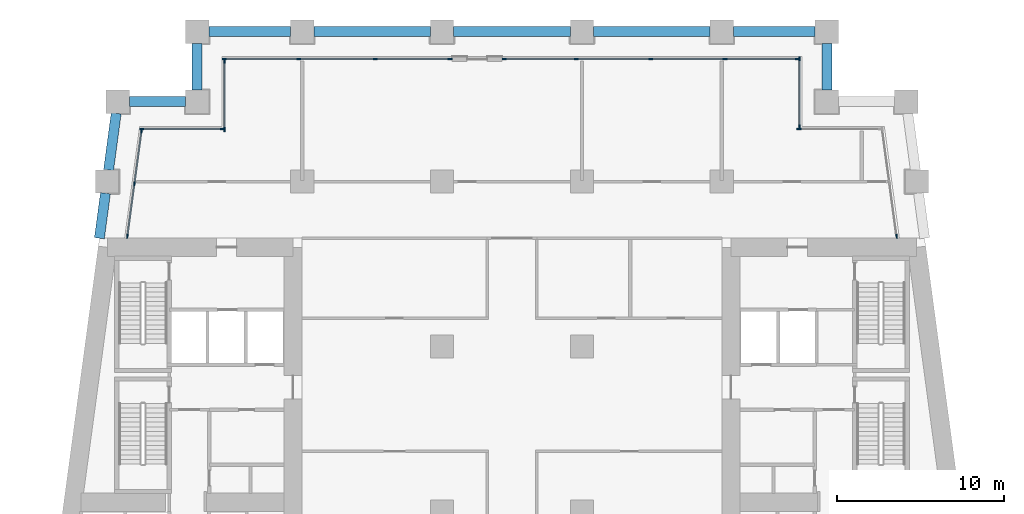
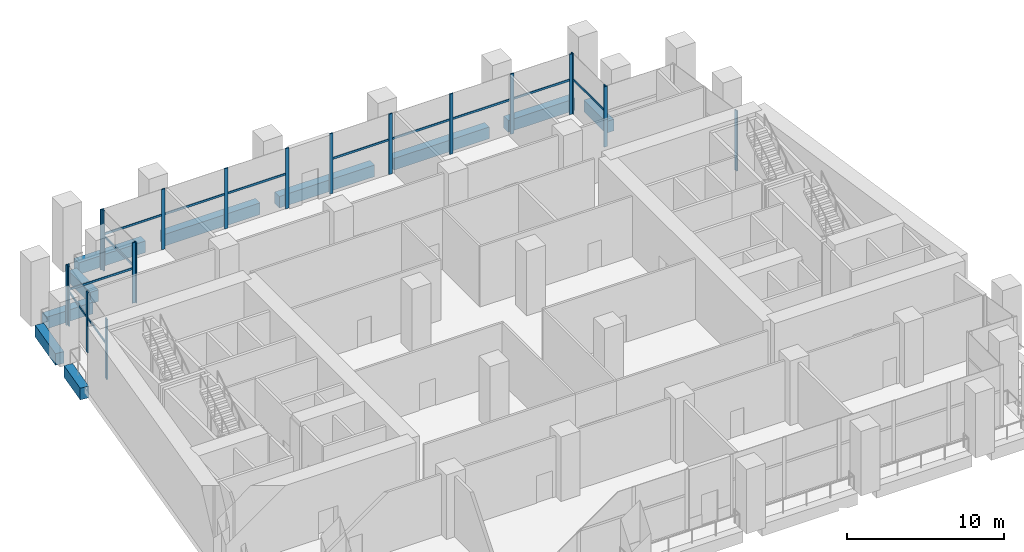
# One storey, part 4 of 15: 32 members, 10 beams, 8 elements without a shape of their own.
"""IFC4 building model written with IfcOpenShell, lengths in metres."""

from ifc_helpers import new_model, si_unit, direction, frame, origin, origin_2d, place, context, subcontext, project, spatial, rectangle, extrude, material, material_profile, profile_set, type_object, element, aggregate, save


model = new_model("IFC4")

# Units and contexts
model_context = context("Model", 3, precision=1e-05, world=origin(), true_north=direction((0.0, 1.0)))
body_context = subcontext(model_context, "Body", "Model", "MODEL_VIEW")
ifc_project = project(units=[si_unit("LENGTHUNIT", "METRE"), si_unit("AREAUNIT", "SQUARE_METRE"), si_unit("VOLUMEUNIT", "CUBIC_METRE"), si_unit("PLANEANGLEUNIT", "RADIAN"), si_unit("MASSUNIT", "GRAM", prefix="KILO")], contexts=[model_context])

# Site, building, storey
site_placement = place(None, origin())
site = spatial("IfcSite", under=ifc_project, at=site_placement, CompositionType="ELEMENT")
building_placement = place(site_placement, origin())
building = spatial("IfcBuilding", under=site, at=building_placement, Name="Candeia Pilgrim Tower and Theatre", CompositionType="ELEMENT")
storey_placement = place(building_placement, frame((0.0, 0.0, 86.0)))
storey = spatial("IfcBuildingStorey", under=building, at=storey_placement, Name="L19", CompositionType="ELEMENT", Elevation=86.0)

# Curtain wall, member
ifc_material_1 = material(Name="Aluminium framed sky lobby glazing", Category="aluminium")
curtain_wall_type = type_object("IfcCurtainWallType", Name="CW-S curtain wall", PredefinedType="NOTDEFINED", material=ifc_material_1)
curtain_wall_1_placement = place(storey_placement, origin())
curtain_wall_1 = element("IfcCurtainWall", 1, at=curtain_wall_1_placement, inside=storey, type_object=curtain_wall_type, Name="Curtain wall CW-S L19.310", PredefinedType="NOTDEFINED")
ifc_material_2 = material(Name="Anodised aluminium", Category="aluminium")
ifc_material_profile_1 = material_profile(ifc_material_2, rectangle(XDim=0.080078125, YDim=0.25, at=origin_2d()))
ifc_profile_set_1 = profile_set([ifc_material_profile_1], Name="Anodised aluminium")
member_type_1 = type_object("IfcMemberType", Name="CW-S mullion 80x250", PredefinedType="MULLION", material=ifc_profile_set_1)
member_1_placement = place(storey_placement, frame((136.48779296875, 132.52392578125, 0.0), z_axis=(0.0, 0.0, 1.0), x_axis=(-0.991060661622, -0.133412012145, 0.0)))
member_1 = element("IfcMember", 2, at=member_1_placement, type_object=member_type_1, Name="CW-S mullion 1", PredefinedType="MULLION", context=body_context, shape_type="SweptSolid", body=[
    extrude(rectangle(XDim=0.080078125, YDim=0.25, at=origin_2d()), origin(), (0.0, 0.0, 1.0), 4.679931640625),
])
aggregate(curtain_wall_1, [member_1])

curtain_wall_2_placement = place(storey_placement, origin())
curtain_wall_2 = element("IfcCurtainWall", 3, at=curtain_wall_2_placement, inside=storey, type_object=curtain_wall_type, Name="Curtain wall CW-S L19.400", PredefinedType="NOTDEFINED")
member_2_placement = place(storey_placement, frame((130.625, 138.949951171875, 0.0), z_axis=(0.0, 0.0, 1.0), x_axis=(0.0, -1.0, 0.0)))
member_2 = element("IfcMember", 4, at=member_2_placement, type_object=member_type_1, Name="CW-S mullion 2", PredefinedType="MULLION", context=body_context, shape_type="SweptSolid", body=[
    extrude(rectangle(XDim=0.080078125, YDim=0.25, at=origin_2d()), origin(), (0.0, 0.0, 1.0), 4.679931640625),
])
aggregate(curtain_wall_2, [member_2])

# Curtain wall, members
curtain_wall_3_placement = place(storey_placement, origin())
curtain_wall_3 = element("IfcCurtainWall", 5, at=curtain_wall_3_placement, inside=storey, type_object=curtain_wall_type, Name="Curtain wall CW-S L19.500", PredefinedType="NOTDEFINED")
member_3_placement = place(storey_placement, frame((130.64990234375, 139.074951171875, 0.0), z_axis=(0.0, 0.0, 1.0), x_axis=(-1.0, 0.0, 0.0)))
member_3 = element("IfcMember", 6, at=member_3_placement, type_object=member_type_1, Name="CW-S mullion 1", PredefinedType="MULLION", context=body_context, shape_type="SweptSolid", body=[
    extrude(rectangle(XDim=0.080078125, YDim=0.25, at=origin_2d()), origin(), (0.0, 0.0, 1.0), 4.679931640625),
])
member_4_placement = place(storey_placement, frame((130.64990234375, 143.175048828125, 0.0), z_axis=(0.0, 0.0, 1.0), x_axis=(-1.0, 0.0, 0.0)))
member_4 = element("IfcMember", 7, at=member_4_placement, type_object=member_type_1, Name="CW-S mullion 2", PredefinedType="MULLION", context=body_context, shape_type="SweptSolid", body=[
    extrude(rectangle(XDim=0.080078125, YDim=0.25, at=origin_2d()), origin(), (0.0, 0.0, 1.0), 4.679931640625),
])

curtain_wall_4_placement = place(storey_placement, origin())
curtain_wall_4 = element("IfcCurtainWall", 8, at=curtain_wall_4_placement, inside=storey, type_object=curtain_wall_type, Name="Curtain wall CW-S L19.600", PredefinedType="NOTDEFINED")
member_5_placement = place(storey_placement, frame((130.52490234375, 143.14990234375, 0.0), z_axis=(0.0, 0.0, 1.0), x_axis=(0.0, -1.0, 0.0)))
member_5 = element("IfcMember", 9, at=member_5_placement, type_object=member_type_1, Name="CW-S mullion 1", PredefinedType="MULLION", context=body_context, shape_type="SweptSolid", body=[
    extrude(rectangle(XDim=0.080078125, YDim=0.25, at=origin_2d()), origin(), (0.0, 0.0, 1.0), 4.679931640625),
])
member_6_placement = place(storey_placement, frame((126.1875, 143.14990234375, 0.0), z_axis=(0.0, 0.0, 1.0), x_axis=(0.0, -1.0, 0.0)))
member_6 = element("IfcMember", 10, at=member_6_placement, type_object=member_type_1, Name="CW-S mullion 2", PredefinedType="MULLION", context=body_context, shape_type="SweptSolid", body=[
    extrude(rectangle(XDim=0.080078125, YDim=0.25, at=origin_2d()), origin(), (0.0, 0.0, 1.0), 4.679931640625),
])
member_7_placement = place(storey_placement, frame((121.72509765625, 143.14990234375, 0.0), z_axis=(0.0, 0.0, 1.0), x_axis=(0.0, -1.0, 0.0)))
member_7 = element("IfcMember", 11, at=member_7_placement, type_object=member_type_1, Name="CW-S mullion 3", PredefinedType="MULLION", context=body_context, shape_type="SweptSolid", body=[
    extrude(rectangle(XDim=0.080078125, YDim=0.25, at=origin_2d()), origin(), (0.0, 0.0, 1.0), 4.679931640625),
])
member_8_placement = place(storey_placement, frame((117.262451171875, 143.14990234375, 0.0), z_axis=(0.0, 0.0, 1.0), x_axis=(0.0, -1.0, 0.0)))
member_8 = element("IfcMember", 12, at=member_8_placement, type_object=member_type_1, Name="CW-S mullion 4", PredefinedType="MULLION", context=body_context, shape_type="SweptSolid", body=[
    extrude(rectangle(XDim=0.080078125, YDim=0.25, at=origin_2d()), origin(), (0.0, 0.0, 1.0), 4.679931640625),
])
member_9_placement = place(storey_placement, frame((112.925048828125, 143.14990234375, 0.0), z_axis=(0.0, 0.0, 1.0), x_axis=(0.0, -1.0, 0.0)))
member_9 = element("IfcMember", 13, at=member_9_placement, type_object=member_type_1, Name="CW-S mullion 5", PredefinedType="MULLION", context=body_context, shape_type="SweptSolid", body=[
    extrude(rectangle(XDim=0.080078125, YDim=0.25, at=origin_2d()), origin(), (0.0, 0.0, 1.0), 4.679931640625),
])

curtain_wall_5_placement = place(storey_placement, origin())
curtain_wall_5 = element("IfcCurtainWall", 14, at=curtain_wall_5_placement, inside=storey, type_object=curtain_wall_type, Name="Curtain wall CW-S L19.602", PredefinedType="NOTDEFINED")
member_10_placement = place(storey_placement, frame((109.675048828125, 143.14990234375, 0.0), z_axis=(0.0, 0.0, 1.0), x_axis=(0.0, -1.0, 0.0)))
member_10 = element("IfcMember", 15, at=member_10_placement, type_object=member_type_1, Name="CW-S mullion 1", PredefinedType="MULLION", context=body_context, shape_type="SweptSolid", body=[
    extrude(rectangle(XDim=0.080078125, YDim=0.25, at=origin_2d()), origin(), (0.0, 0.0, 1.0), 4.679931640625),
])
member_11_placement = place(storey_placement, frame((105.199951171875, 143.14990234375, 0.0), z_axis=(0.0, 0.0, 1.0), x_axis=(0.0, -1.0, 0.0)))
member_11 = element("IfcMember", 16, at=member_11_placement, type_object=member_type_1, Name="CW-S mullion 2", PredefinedType="MULLION", context=body_context, shape_type="SweptSolid", body=[
    extrude(rectangle(XDim=0.080078125, YDim=0.25, at=origin_2d()), origin(), (0.0, 0.0, 1.0), 4.679931640625),
])
member_12_placement = place(storey_placement, frame((100.60009765625, 143.14990234375, 0.0), z_axis=(0.0, 0.0, 1.0), x_axis=(0.0, -1.0, 0.0)))
member_12 = element("IfcMember", 17, at=member_12_placement, type_object=member_type_1, Name="CW-S mullion 3", PredefinedType="MULLION", context=body_context, shape_type="SweptSolid", body=[
    extrude(rectangle(XDim=0.080078125, YDim=0.25, at=origin_2d()), origin(), (0.0, 0.0, 1.0), 4.679931640625),
])
member_13_placement = place(storey_placement, frame((96.125, 143.14990234375, 0.0), z_axis=(0.0, 0.0, 1.0), x_axis=(0.0, -1.0, 0.0)))
member_13 = element("IfcMember", 18, at=member_13_placement, type_object=member_type_1, Name="CW-S mullion 4", PredefinedType="MULLION", context=body_context, shape_type="SweptSolid", body=[
    extrude(rectangle(XDim=0.080078125, YDim=0.25, at=origin_2d()), origin(), (0.0, 0.0, 1.0), 4.679931640625),
])

curtain_wall_6_placement = place(storey_placement, origin())
curtain_wall_6 = element("IfcCurtainWall", 19, at=curtain_wall_6_placement, inside=storey, type_object=curtain_wall_type, Name="Curtain wall CW-S L19.700", PredefinedType="NOTDEFINED")
member_14_placement = place(storey_placement, frame((96.14990234375, 143.02490234375, 0.0), z_axis=(0.0, 0.0, 1.0), x_axis=(1.0, 0.0, 0.0)))
member_14 = element("IfcMember", 20, at=member_14_placement, type_object=member_type_1, Name="CW-S mullion 1", PredefinedType="MULLION", context=body_context, shape_type="SweptSolid", body=[
    extrude(rectangle(XDim=0.080078125, YDim=0.25, at=origin_2d()), origin(), (0.0, 0.0, 1.0), 4.679931640625),
])
member_15_placement = place(storey_placement, frame((96.14990234375, 138.925048828125, 0.0), z_axis=(0.0, 0.0, 1.0), x_axis=(1.0, 0.0, 0.0)))
member_15 = element("IfcMember", 21, at=member_15_placement, type_object=member_type_1, Name="CW-S mullion 2", PredefinedType="MULLION", context=body_context, shape_type="SweptSolid", body=[
    extrude(rectangle(XDim=0.080078125, YDim=0.25, at=origin_2d()), origin(), (0.0, 0.0, 1.0), 4.679931640625),
])

curtain_wall_7_placement = place(storey_placement, origin())
curtain_wall_7 = element("IfcCurtainWall", 22, at=curtain_wall_7_placement, inside=storey, type_object=curtain_wall_type, Name="Curtain wall CW-S L19.800", PredefinedType="NOTDEFINED")
member_16_placement = place(storey_placement, frame((96.02490234375, 138.949951171875, 0.0), z_axis=(0.0, 0.0, 1.0), x_axis=(0.0, -1.0, 0.0)))
member_16 = element("IfcMember", 23, at=member_16_placement, type_object=member_type_1, Name="CW-S mullion 1", PredefinedType="MULLION", context=body_context, shape_type="SweptSolid", body=[
    extrude(rectangle(XDim=0.080078125, YDim=0.25, at=origin_2d()), origin(), (0.0, 0.0, 1.0), 4.679931640625),
])
member_17_placement = place(storey_placement, frame((91.171142578125, 138.949951171875, 0.0), z_axis=(0.0, 0.0, 1.0), x_axis=(0.0, -1.0, 0.0)))
member_17 = element("IfcMember", 24, at=member_17_placement, type_object=member_type_1, Name="CW-S mullion 2", PredefinedType="MULLION", context=body_context, shape_type="SweptSolid", body=[
    extrude(rectangle(XDim=0.080078125, YDim=0.25, at=origin_2d()), origin(), (0.0, 0.0, 1.0), 4.679931640625),
])

curtain_wall_8_placement = place(storey_placement, origin())
curtain_wall_8 = element("IfcCurtainWall", 25, at=curtain_wall_8_placement, inside=storey, type_object=curtain_wall_type, Name="Curtain wall CW-S L19.900", PredefinedType="NOTDEFINED")
member_18_placement = place(storey_placement, frame((91.16064453125, 138.826171875, 0.0), z_axis=(0.0, 0.0, 1.0), x_axis=(0.991060661622, -0.133412012145, 0.0)))
member_18 = element("IfcMember", 26, at=member_18_placement, type_object=member_type_1, Name="CW-S mullion 1", PredefinedType="MULLION", context=body_context, shape_type="SweptSolid", body=[
    extrude(rectangle(XDim=0.080078125, YDim=0.25, at=origin_2d()), origin(), (0.0, 0.0, 1.0), 4.679931640625),
])
member_19_placement = place(storey_placement, frame((90.736572265625, 135.675048828125, 0.0), z_axis=(0.0, 0.0, 1.0), x_axis=(0.991060661622, -0.133412012145, 0.0)))
member_19 = element("IfcMember", 27, at=member_19_placement, type_object=member_type_1, Name="CW-S mullion 2", PredefinedType="MULLION", context=body_context, shape_type="SweptSolid", body=[
    extrude(rectangle(XDim=0.080078125, YDim=0.25, at=origin_2d()), origin(), (0.0, 0.0, 1.0), 4.679931640625),
])
member_20_placement = place(storey_placement, frame((90.312255859375, 132.52392578125, 0.0), z_axis=(0.0, 0.0, 1.0), x_axis=(0.991060661622, -0.133412012145, 0.0)))
member_20 = element("IfcMember", 28, at=member_20_placement, type_object=member_type_1, Name="CW-S mullion 3", PredefinedType="MULLION", context=body_context, shape_type="SweptSolid", body=[
    extrude(rectangle(XDim=0.080078125, YDim=0.25, at=origin_2d()), origin(), (0.0, 0.0, 1.0), 4.679931640625),
])

# Member
ifc_material_profile_2 = material_profile(ifc_material_2, rectangle(XDim=0.080078125, YDim=0.159912109375, at=origin_2d()))
ifc_profile_set_2 = profile_set([ifc_material_profile_2], Name="Anodised aluminium")
member_type_2 = type_object("IfcMemberType", Name="CW-S transom 80x160", PredefinedType="USERDEFINED", material=ifc_profile_set_2)
member_21_placement = place(storey_placement, frame((130.64990234375, 139.114990234375, 2.699951171875), z_axis=(0.0, 1.0, 0.0), x_axis=(-1.0, 0.0, 0.0)))
member_21 = element("IfcMember", 29, at=member_21_placement, type_object=member_type_2, Name="CW-S transom 1.1", ObjectType="TRANSOM", PredefinedType="USERDEFINED", context=body_context, shape_type="SweptSolid", body=[
    extrude(rectangle(XDim=0.080078125, YDim=0.159912109375, at=origin_2d()), origin(), (0.0, 0.0, 1.0), 4.02001953125),
])

aggregate(curtain_wall_3, [member_3, member_4, member_21])

member_22_placement = place(storey_placement, frame((130.485107421875, 143.14990234375, 2.699951171875), z_axis=(-1.0, 0.0, 0.0), x_axis=(0.0, -1.0, 0.0)))
member_22 = element("IfcMember", 30, at=member_22_placement, type_object=member_type_2, Name="CW-S transom 1.1", ObjectType="TRANSOM", PredefinedType="USERDEFINED", context=body_context, shape_type="SweptSolid", body=[
    extrude(rectangle(XDim=0.080078125, YDim=0.159912109375, at=origin_2d()), origin(), (0.0, 0.0, 1.0), 4.257568359375),
])

member_23_placement = place(storey_placement, frame((126.1474609375, 143.14990234375, 2.699951171875), z_axis=(-1.0, 0.0, 0.0), x_axis=(0.0, -1.0, 0.0)))
member_23 = element("IfcMember", 31, at=member_23_placement, type_object=member_type_2, Name="CW-S transom 2.1", ObjectType="TRANSOM", PredefinedType="USERDEFINED", context=body_context, shape_type="SweptSolid", body=[
    extrude(rectangle(XDim=0.080078125, YDim=0.159912109375, at=origin_2d()), origin(), (0.0, 0.0, 1.0), 4.382568359375),
])

member_24_placement = place(storey_placement, frame((121.68505859375, 143.14990234375, 2.699951171875), z_axis=(-1.0, 0.0, 0.0), x_axis=(0.0, -1.0, 0.0)))
member_24 = element("IfcMember", 32, at=member_24_placement, type_object=member_type_2, Name="CW-S transom 3.1", ObjectType="TRANSOM", PredefinedType="USERDEFINED", context=body_context, shape_type="SweptSolid", body=[
    extrude(rectangle(XDim=0.080078125, YDim=0.159912109375, at=origin_2d()), origin(), (0.0, 0.0, 1.0), 4.382568359375),
])

member_25_placement = place(storey_placement, frame((117.222412109375, 143.14990234375, 2.699951171875), z_axis=(-1.0, 0.0, 0.0), x_axis=(0.0, -1.0, 0.0)))
member_25 = element("IfcMember", 33, at=member_25_placement, type_object=member_type_2, Name="CW-S transom 4.1", ObjectType="TRANSOM", PredefinedType="USERDEFINED", context=body_context, shape_type="SweptSolid", body=[
    extrude(rectangle(XDim=0.080078125, YDim=0.159912109375, at=origin_2d()), origin(), (0.0, 0.0, 1.0), 4.25732421875),
])

aggregate(curtain_wall_4, [member_5, member_6, member_7, member_8, member_9, member_22, member_23, member_24, member_25])

member_26_placement = place(storey_placement, frame((109.635009765625, 143.14990234375, 2.699951171875), z_axis=(-1.0, 0.0, 0.0), x_axis=(0.0, -1.0, 0.0)))
member_26 = element("IfcMember", 34, at=member_26_placement, type_object=member_type_2, Name="CW-S transom 1.1", ObjectType="TRANSOM", PredefinedType="USERDEFINED", context=body_context, shape_type="SweptSolid", body=[
    extrude(rectangle(XDim=0.080078125, YDim=0.159912109375, at=origin_2d()), origin(), (0.0, 0.0, 1.0), 4.39501953125),
])

member_27_placement = place(storey_placement, frame((105.159912109375, 143.14990234375, 2.699951171875), z_axis=(-1.0, 0.0, 0.0), x_axis=(0.0, -1.0, 0.0)))
member_27 = element("IfcMember", 35, at=member_27_placement, type_object=member_type_2, Name="CW-S transom 2.1", ObjectType="TRANSOM", PredefinedType="USERDEFINED", context=body_context, shape_type="SweptSolid", body=[
    extrude(rectangle(XDim=0.080078125, YDim=0.159912109375, at=origin_2d()), origin(), (0.0, 0.0, 1.0), 4.52001953125),
])

member_28_placement = place(storey_placement, frame((100.56005859375, 143.14990234375, 2.699951171875), z_axis=(-1.0, 0.0, 0.0), x_axis=(0.0, -1.0, 0.0)))
member_28 = element("IfcMember", 36, at=member_28_placement, type_object=member_type_2, Name="CW-S transom 3.1", ObjectType="TRANSOM", PredefinedType="USERDEFINED", context=body_context, shape_type="SweptSolid", body=[
    extrude(rectangle(XDim=0.080078125, YDim=0.159912109375, at=origin_2d()), origin(), (0.0, 0.0, 1.0), 4.39501953125),
])

aggregate(curtain_wall_5, [member_10, member_11, member_12, member_13, member_26, member_27, member_28])

member_29_placement = place(storey_placement, frame((96.14990234375, 142.985107421875, 2.699951171875), z_axis=(0.0, -1.0, 0.0), x_axis=(1.0, 0.0, 0.0)))
member_29 = element("IfcMember", 37, at=member_29_placement, type_object=member_type_2, Name="CW-S transom 1.1", ObjectType="TRANSOM", PredefinedType="USERDEFINED", context=body_context, shape_type="SweptSolid", body=[
    extrude(rectangle(XDim=0.080078125, YDim=0.159912109375, at=origin_2d()), origin(), (0.0, 0.0, 1.0), 4.02001953125),
])

aggregate(curtain_wall_6, [member_14, member_15, member_29])

member_30_placement = place(storey_placement, frame((95.985107421875, 138.949951171875, 2.699951171875), z_axis=(-1.0, 0.0, 0.0), x_axis=(0.0, -1.0, 0.0)))
member_30 = element("IfcMember", 38, at=member_30_placement, type_object=member_type_2, Name="CW-S transom 1.1", ObjectType="TRANSOM", PredefinedType="USERDEFINED", context=body_context, shape_type="SweptSolid", body=[
    extrude(rectangle(XDim=0.080078125, YDim=0.159912109375, at=origin_2d()), origin(), (0.0, 0.0, 1.0), 4.77392578125),
])

aggregate(curtain_wall_7, [member_16, member_17, member_30])

member_31_placement = place(storey_placement, frame((91.1552734375, 138.786376953125, 2.699951171875), z_axis=(-0.133355474682, -0.991068270793, 0.0), x_axis=(0.991068270793, -0.133355474682, 0.0)))
member_31 = element("IfcMember", 39, at=member_31_placement, type_object=member_type_2, Name="CW-S transom 1.1", ObjectType="TRANSOM", PredefinedType="USERDEFINED", context=body_context, shape_type="SweptSolid", body=[
    extrude(rectangle(XDim=0.080078125, YDim=0.159912109375, at=origin_2d()), origin(), (0.0, 0.0, 1.0), 3.099365234375),
])

member_32_placement = place(storey_placement, frame((90.731201171875, 135.63525390625, 2.699951171875), z_axis=(-0.133432841403, -0.991057857461, 0.0), x_axis=(0.991057857461, -0.133432841403, 0.0)))
member_32 = element("IfcMember", 40, at=member_32_placement, type_object=member_type_2, Name="CW-S transom 2.1", ObjectType="TRANSOM", PredefinedType="USERDEFINED", context=body_context, shape_type="SweptSolid", body=[
    extrude(rectangle(XDim=0.080078125, YDim=0.159912109375, at=origin_2d()), origin(), (0.0, 0.0, 1.0), 3.099609375),
])

aggregate(curtain_wall_8, [member_18, member_19, member_20, member_31, member_32])

# Beams
ifc_material_3 = material(Name="Concrete C80/95", Category="concrete")
ifc_material_profile_3 = material_profile(ifc_material_3, rectangle(XDim=0.60009765625, YDim=0.89990234375, at=origin_2d()))
ifc_profile_set_3 = profile_set([ifc_material_profile_3], Name="Concrete C80/95")
beam_type = type_object("IfcBeamType", Name="RC 600x900 C80/95", PredefinedType="BEAM", material=ifc_profile_set_3)
beam_1_placement = place(storey_placement, frame((132.300048828125, 141.300048828125, -0.449951171875), z_axis=(0.0, 1.0, 0.0), x_axis=(-1.0, 0.0, 0.0)))
element("IfcBeam", 41, at=beam_1_placement, inside=storey, type_object=beam_type, Name="Spandrel beam L19-15", PredefinedType="BEAM", context=body_context, shape_type="SweptSolid", body=[
    extrude(rectangle(XDim=0.60009765625, YDim=0.89990234375, at=origin_2d()), origin(), (0.0, 0.0, 1.0), 2.800048828125),
])
beam_2_placement = place(storey_placement, frame((131.60009765625, 144.800048828125, -0.449951171875), z_axis=(-1.0, 0.0, 0.0), x_axis=(0.0, -1.0, 0.0)))
element("IfcBeam", 42, at=beam_2_placement, inside=storey, type_object=beam_type, Name="Spandrel beam L19-16", PredefinedType="BEAM", context=body_context, shape_type="SweptSolid", body=[
    extrude(rectangle(XDim=0.60009765625, YDim=0.89990234375, at=origin_2d()), origin(), (0.0, 0.0, 1.0), 4.900146484375),
])
for number, where, z_axis, x_axis, name in (
    (43, (125.300048828125, 144.800048828125, -0.449951171875), (-1.0, 0.0, 0.0), (0.0, -1.0, 0.0), "Spandrel beam L19-17"),
    (44, (116.89990234375, 144.800048828125, -0.449951171875), (-1.0, 0.0, 0.0), (0.0, -1.0, 0.0), "Spandrel beam L19-18"),
    (45, (108.5, 144.800048828125, -0.449951171875), (-1.0, 0.0, 0.0), (0.0, -1.0, 0.0), "Spandrel beam L19-19"),
):
    element("IfcBeam", number, at=place(storey_placement, frame(where, z_axis=z_axis, x_axis=x_axis)), inside=storey, type_object=beam_type, Name=name, PredefinedType="BEAM", context=body_context, shape_type="SweptSolid", body=[
        extrude(rectangle(XDim=0.60009765625, YDim=0.89990234375, at=origin_2d()), origin(), (0.0, 0.0, 1.0), 7.0),
    ])
beam_3_placement = place(storey_placement, frame((100.10009765625, 144.800048828125, -0.449951171875), z_axis=(-1.0, 0.0, 0.0), x_axis=(0.0, -1.0, 0.0)))
element("IfcBeam", 46, at=beam_3_placement, inside=storey, type_object=beam_type, Name="Spandrel beam L19-20", PredefinedType="BEAM", context=body_context, shape_type="SweptSolid", body=[
    extrude(rectangle(XDim=0.60009765625, YDim=0.89990234375, at=origin_2d()), origin(), (0.0, 0.0, 1.0), 4.900146484375),
])
beam_4_placement = place(storey_placement, frame((94.5, 144.10009765625, -0.449951171875), z_axis=(0.0, -1.0, 0.0), x_axis=(1.0, 0.0, 0.0)))
element("IfcBeam", 47, at=beam_4_placement, inside=storey, type_object=beam_type, Name="Spandrel beam L19-21", PredefinedType="BEAM", context=body_context, shape_type="SweptSolid", body=[
    extrude(rectangle(XDim=0.60009765625, YDim=0.89990234375, at=origin_2d()), origin(), (0.0, 0.0, 1.0), 2.800048828125),
])
beam_5_placement = place(storey_placement, frame((93.800048828125, 140.60009765625, -0.449951171875), z_axis=(-1.0, 0.0, 0.0), x_axis=(0.0, -1.0, 0.0)))
element("IfcBeam", 48, at=beam_5_placement, inside=storey, type_object=beam_type, Name="Spandrel beam L19-22", PredefinedType="BEAM", context=body_context, shape_type="SweptSolid", body=[
    extrude(rectangle(XDim=0.60009765625, YDim=0.89990234375, at=origin_2d()), origin(), (0.0, 0.0, 1.0), 3.365478515625),
])
beam_6_placement = place(storey_placement, frame((89.640380859375, 139.89990234375, -0.449951171875), z_axis=(-0.133436208017, -0.991057404185, 0.0), x_axis=(0.991057404185, -0.133436208017, 0.0)))
element("IfcBeam", 49, at=beam_6_placement, inside=storey, type_object=beam_type, Name="Spandrel beam L19-23", PredefinedType="BEAM", context=body_context, shape_type="SweptSolid", body=[
    extrude(rectangle(XDim=0.60009765625, YDim=0.89990234375, at=origin_2d()), origin(), (0.0, 0.0, 1.0), 3.4306640625),
])
beam_7_placement = place(storey_placement, frame((88.994140625, 135.10009765625, -0.449951171875), z_axis=(-0.133337538686, -0.991070684047, 0.0), x_axis=(0.991070684047, -0.133337538686, 0.0)))
element("IfcBeam", 50, at=beam_7_placement, inside=storey, type_object=beam_type, Name="Spandrel beam L19-24", PredefinedType="BEAM", context=body_context, shape_type="SweptSolid", body=[
    extrude(rectangle(XDim=0.60009765625, YDim=0.89990234375, at=origin_2d()), origin(), (0.0, 0.0, 1.0), 2.724609375),
])

save(model, "model.ifc")
